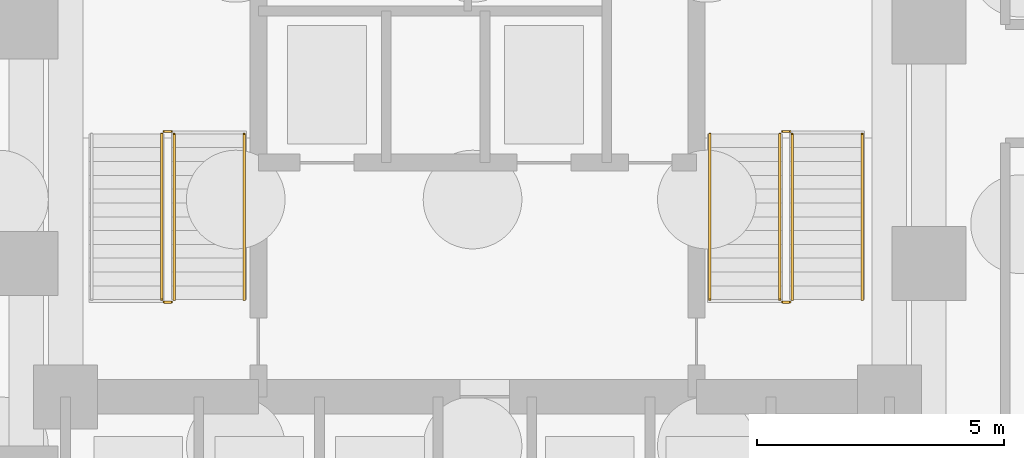
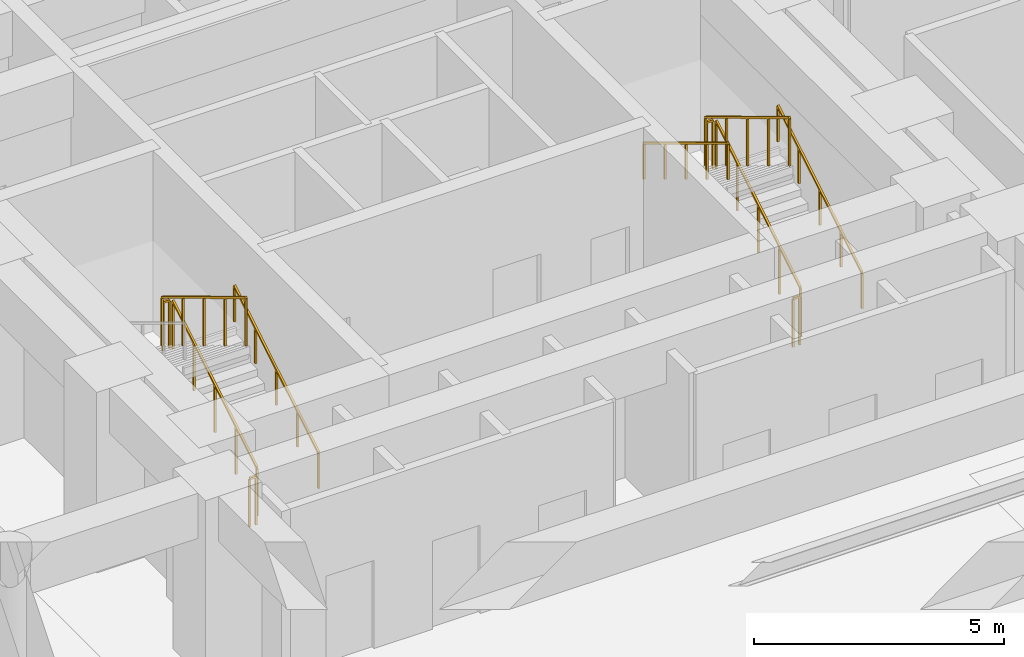
# One storey, part 7 of 8: 11 railings.
"""IFC4 building model written with IfcOpenShell, lengths in metres."""

from ifc_helpers import new_model, si_unit, direction, frame, origin, origin_2d, place, context, subcontext, project, spatial, rectangle, extrude, material, type_object, element, save


model = new_model("IFC4")

# Units and contexts
model_context = context("Model", 3, precision=1e-05, world=origin(), true_north=direction((0.0, 1.0)))
body_context = subcontext(model_context, "Body", "Model", "MODEL_VIEW")
ifc_project = project(units=[si_unit("LENGTHUNIT", "METRE"), si_unit("AREAUNIT", "SQUARE_METRE"), si_unit("VOLUMEUNIT", "CUBIC_METRE"), si_unit("PLANEANGLEUNIT", "RADIAN"), si_unit("MASSUNIT", "GRAM", prefix="KILO")], contexts=[model_context])

# Site, building, storey
site_placement = place(None, origin())
site = spatial("IfcSite", under=ifc_project, at=site_placement, CompositionType="ELEMENT")
building_placement = place(site_placement, origin())
building = spatial("IfcBuilding", under=site, at=building_placement, Name="Orvandelia Arch Residences", CompositionType="ELEMENT")
storey_placement = place(building_placement, frame((0.0, 0.0, -13.199951171875)))
storey = spatial("IfcBuildingStorey", under=building, at=storey_placement, Name="B3", CompositionType="ELEMENT", Elevation=-13.199951171875)

# Railings
ifc_material = material(Name="Brushed Stainless Steel 304", Category="steel")
railing_type_1 = type_object("IfcRailingType", Name="RL-STAIR-GD1120", PredefinedType="GUARDRAIL", material=ifc_material)
railing_1_placement = place(storey_placement, frame((8.25, 32.8701171875, 0.169189453125)))
element("IfcRailing", 1, at=railing_1_placement, inside=storey, type_object=railing_type_1, Name="B3 ST-1 stair guard 1", PredefinedType="GUARDRAIL", context=body_context, shape_type="SweptSolid", body=[
    extrude(rectangle(XDim=0.048095703125, YDim=0.048095703125, at=origin_2d()), frame((0.0, 0.0, 1.17578125), z_axis=(0.0, 0.855820338506, 0.51727318527), x_axis=(-1.0, 0.0, 0.0)), (0.0, 0.0, 1.0), 3.92578125),
    extrude(rectangle(XDim=0.0419921875, YDim=0.0419921875, at=origin_2d()), origin(), (0.0, 0.0, 1.0), 1.15185546875),
    extrude(rectangle(XDim=0.0419921875, YDim=0.0419921875, at=origin_2d()), frame((0.0, 0.83984375, 0.5078125)), (0.0, 0.0, 1.0), 1.15185546875),
    extrude(rectangle(XDim=0.0419921875, YDim=0.0419921875, at=origin_2d()), frame((0.0, 1.679931640625, 1.015380859375)), (0.0, 0.0, 1.0), 1.15185546875),
    extrude(rectangle(XDim=0.0419921875, YDim=0.0419921875, at=origin_2d()), frame((0.0, 2.52001953125, 1.52294921875)), (0.0, 0.0, 1.0), 1.15185546875),
    extrude(rectangle(XDim=0.0419921875, YDim=0.0419921875, at=origin_2d()), frame((0.0, 3.35986328125, 2.03076171875)), (0.0, 0.0, 1.0), 1.15185546875),
])
railing_2_placement = place(storey_placement, frame((8.199951171875, 36.280029296875, 2.199951171875)))
element("IfcRailing", 2, at=railing_2_placement, inside=storey, type_object=railing_type_1, Name="B3 ST-1 stair guard 2", PredefinedType="GUARDRAIL", context=body_context, shape_type="SweptSolid", body=[
    extrude(rectangle(XDim=0.048095703125, YDim=0.048095703125, at=origin_2d()), frame((0.0, 0.0, 1.17578125), z_axis=(-1.0, 0.0, 0.0), x_axis=(0.0, -1.0, 0.0)), (0.0, 0.0, 1.0), 0.14990234375),
    extrude(rectangle(XDim=0.0419921875, YDim=0.0419921875, at=origin_2d()), origin(), (0.0, 0.0, 1.0), 1.15185546875),
    extrude(rectangle(XDim=0.0419921875, YDim=0.0419921875, at=origin_2d()), frame((-0.14990234375, 0.0, 0.0)), (0.0, 0.0, 1.0), 1.15185546875),
])
railing_3_placement = place(storey_placement, frame((8.0, 36.22998046875, 2.369140625)))
element("IfcRailing", 3, at=railing_3_placement, inside=storey, type_object=railing_type_1, Name="B3 ST-1 stair guard 3", PredefinedType="GUARDRAIL", context=body_context, shape_type="SweptSolid", body=[
    extrude(rectangle(XDim=0.048095703125, YDim=0.048095703125, at=origin_2d()), frame((0.0, 0.0, 1.17578125), z_axis=(0.0, -0.855820338506, 0.51727318527), x_axis=(1.0, 0.0, 0.0)), (0.0, 0.0, 1.0), 3.92578125),
    extrude(rectangle(XDim=0.0419921875, YDim=0.0419921875, at=origin_2d()), origin(), (0.0, 0.0, 1.0), 1.15185546875),
    extrude(rectangle(XDim=0.0419921875, YDim=0.0419921875, at=origin_2d()), frame((0.0, -0.83984375, 0.5078125)), (0.0, 0.0, 1.0), 1.15185546875),
    extrude(rectangle(XDim=0.0419921875, YDim=0.0419921875, at=origin_2d()), frame((0.0, -1.679931640625, 1.015380859375)), (0.0, 0.0, 1.0), 1.15185546875),
    extrude(rectangle(XDim=0.0419921875, YDim=0.0419921875, at=origin_2d()), frame((0.0, -2.52001953125, 1.52294921875)), (0.0, 0.0, 1.0), 1.15185546875),
    extrude(rectangle(XDim=0.0419921875, YDim=0.0419921875, at=origin_2d()), frame((0.0, -3.35986328125, 2.03076171875)), (0.0, 0.0, 1.0), 1.15185546875),
])
railing_4_placement = place(storey_placement, frame((8.199951171875, 32.820068359375, 0.0)))
element("IfcRailing", 4, at=railing_4_placement, inside=storey, type_object=railing_type_1, Name="B3 ST-1 stair guard 4", PredefinedType="GUARDRAIL", context=body_context, shape_type="SweptSolid", body=[
    extrude(rectangle(XDim=0.048095703125, YDim=0.048095703125, at=origin_2d()), frame((0.0, 0.0, 1.17578125), z_axis=(-1.0, 0.0, 0.0), x_axis=(0.0, -1.0, 0.0)), (0.0, 0.0, 1.0), 0.14990234375),
    extrude(rectangle(XDim=0.0419921875, YDim=0.0419921875, at=origin_2d()), origin(), (0.0, 0.0, 1.0), 1.15185546875),
    extrude(rectangle(XDim=0.0419921875, YDim=0.0419921875, at=origin_2d()), frame((-0.14990234375, 0.0, 0.0)), (0.0, 0.0, 1.0), 1.15185546875),
])
railing_5_placement = place(storey_placement, frame((20.780029296875, 32.8701171875, 0.169189453125)))
element("IfcRailing", 5, at=railing_5_placement, inside=storey, type_object=railing_type_1, Name="B3 ST-2 stair guard 1", PredefinedType="GUARDRAIL", context=body_context, shape_type="SweptSolid", body=[
    extrude(rectangle(XDim=0.048095703125, YDim=0.048095703125, at=origin_2d()), frame((0.0, 0.0, 1.17578125), z_axis=(0.0, 0.855820338506, 0.51727318527), x_axis=(-1.0, 0.0, 0.0)), (0.0, 0.0, 1.0), 3.92578125),
    extrude(rectangle(XDim=0.0419921875, YDim=0.0419921875, at=origin_2d()), origin(), (0.0, 0.0, 1.0), 1.15185546875),
    extrude(rectangle(XDim=0.0419921875, YDim=0.0419921875, at=origin_2d()), frame((0.0, 0.83984375, 0.5078125)), (0.0, 0.0, 1.0), 1.15185546875),
    extrude(rectangle(XDim=0.0419921875, YDim=0.0419921875, at=origin_2d()), frame((0.0, 1.679931640625, 1.015380859375)), (0.0, 0.0, 1.0), 1.15185546875),
    extrude(rectangle(XDim=0.0419921875, YDim=0.0419921875, at=origin_2d()), frame((0.0, 2.52001953125, 1.52294921875)), (0.0, 0.0, 1.0), 1.15185546875),
    extrude(rectangle(XDim=0.0419921875, YDim=0.0419921875, at=origin_2d()), frame((0.0, 3.35986328125, 2.03076171875)), (0.0, 0.0, 1.0), 1.15185546875),
])
railing_6_placement = place(storey_placement, frame((20.72998046875, 36.280029296875, 2.199951171875)))
element("IfcRailing", 6, at=railing_6_placement, inside=storey, type_object=railing_type_1, Name="B3 ST-2 stair guard 2", PredefinedType="GUARDRAIL", context=body_context, shape_type="SweptSolid", body=[
    extrude(rectangle(XDim=0.048095703125, YDim=0.048095703125, at=origin_2d()), frame((0.0, 0.0, 1.17578125), z_axis=(-1.0, 0.0, 0.0), x_axis=(0.0, -1.0, 0.0)), (0.0, 0.0, 1.0), 0.14990234375),
    extrude(rectangle(XDim=0.0419921875, YDim=0.0419921875, at=origin_2d()), origin(), (0.0, 0.0, 1.0), 1.15185546875),
    extrude(rectangle(XDim=0.0419921875, YDim=0.0419921875, at=origin_2d()), frame((-0.14990234375, 0.0, 0.0)), (0.0, 0.0, 1.0), 1.15185546875),
])
railing_7_placement = place(storey_placement, frame((20.530029296875, 36.22998046875, 2.369140625)))
element("IfcRailing", 7, at=railing_7_placement, inside=storey, type_object=railing_type_1, Name="B3 ST-2 stair guard 3", PredefinedType="GUARDRAIL", context=body_context, shape_type="SweptSolid", body=[
    extrude(rectangle(XDim=0.048095703125, YDim=0.048095703125, at=origin_2d()), frame((0.0, 0.0, 1.17578125), z_axis=(0.0, -0.855820338506, 0.51727318527), x_axis=(1.0, 0.0, 0.0)), (0.0, 0.0, 1.0), 3.92578125),
    extrude(rectangle(XDim=0.0419921875, YDim=0.0419921875, at=origin_2d()), origin(), (0.0, 0.0, 1.0), 1.15185546875),
    extrude(rectangle(XDim=0.0419921875, YDim=0.0419921875, at=origin_2d()), frame((0.0, -0.83984375, 0.5078125)), (0.0, 0.0, 1.0), 1.15185546875),
    extrude(rectangle(XDim=0.0419921875, YDim=0.0419921875, at=origin_2d()), frame((0.0, -1.679931640625, 1.015380859375)), (0.0, 0.0, 1.0), 1.15185546875),
    extrude(rectangle(XDim=0.0419921875, YDim=0.0419921875, at=origin_2d()), frame((0.0, -2.52001953125, 1.52294921875)), (0.0, 0.0, 1.0), 1.15185546875),
    extrude(rectangle(XDim=0.0419921875, YDim=0.0419921875, at=origin_2d()), frame((0.0, -3.35986328125, 2.03076171875)), (0.0, 0.0, 1.0), 1.15185546875),
])
railing_8_placement = place(storey_placement, frame((20.72998046875, 32.820068359375, 0.0)))
element("IfcRailing", 8, at=railing_8_placement, inside=storey, type_object=railing_type_1, Name="B3 ST-2 stair guard 4", PredefinedType="GUARDRAIL", context=body_context, shape_type="SweptSolid", body=[
    extrude(rectangle(XDim=0.048095703125, YDim=0.048095703125, at=origin_2d()), frame((0.0, 0.0, 1.17578125), z_axis=(-1.0, 0.0, 0.0), x_axis=(0.0, -1.0, 0.0)), (0.0, 0.0, 1.0), 0.14990234375),
    extrude(rectangle(XDim=0.0419921875, YDim=0.0419921875, at=origin_2d()), origin(), (0.0, 0.0, 1.0), 1.15185546875),
    extrude(rectangle(XDim=0.0419921875, YDim=0.0419921875, at=origin_2d()), frame((-0.14990234375, 0.0, 0.0)), (0.0, 0.0, 1.0), 1.15185546875),
])
railing_type_2 = type_object("IfcRailingType", Name="RL-STAIR-HR920", PredefinedType="HANDRAIL", material=ifc_material)
for number, where, name in (
    (9, (9.669921875, 32.8701171875, 0.33837890625), "B3 ST-1 stair handrail 1"),
    (10, (22.199951171875, 32.8701171875, 0.33837890625), "B3 ST-2 stair handrail 1"),
):
    element("IfcRailing", number, at=place(storey_placement, frame(where)), inside=storey, type_object=railing_type_2, Name=name, PredefinedType="HANDRAIL", context=body_context, shape_type="SweptSolid", body=[
        extrude(rectangle(XDim=0.048095703125, YDim=0.048095703125, at=origin_2d()), frame((0.0, 0.0, 0.8759765625), z_axis=(0.0, 0.855820338506, 0.51727318527), x_axis=(-1.0, 0.0, 0.0)), (0.0, 0.0, 1.0), 3.92578125),
        extrude(rectangle(XDim=0.0419921875, YDim=0.0419921875, at=origin_2d()), origin(), (0.0, 0.0, 1.0), 0.851806640625),
        extrude(rectangle(XDim=0.0419921875, YDim=0.0419921875, at=origin_2d()), frame((0.0, 0.83984375, 0.5078125)), (0.0, 0.0, 1.0), 0.851806640625),
        extrude(rectangle(XDim=0.0419921875, YDim=0.0419921875, at=origin_2d()), frame((0.0, 1.679931640625, 1.015380859375)), (0.0, 0.0, 1.0), 0.851806640625),
        extrude(rectangle(XDim=0.0419921875, YDim=0.0419921875, at=origin_2d()), frame((0.0, 2.52001953125, 1.52294921875)), (0.0, 0.0, 1.0), 0.851806640625),
        extrude(rectangle(XDim=0.0419921875, YDim=0.0419921875, at=origin_2d()), frame((0.0, 3.35986328125, 2.03076171875)), (0.0, 0.0, 1.0), 0.851806640625),
    ])
railing_9_placement = place(storey_placement, frame((19.110107421875, 36.22998046875, 2.538330078125)))
element("IfcRailing", 11, at=railing_9_placement, inside=storey, type_object=railing_type_2, Name="B3 ST-2 stair handrail 2", PredefinedType="HANDRAIL", context=body_context, shape_type="SweptSolid", body=[
    extrude(rectangle(XDim=0.048095703125, YDim=0.048095703125, at=origin_2d()), frame((0.0, 0.0, 0.8759765625), z_axis=(0.0, -0.855820338506, 0.51727318527), x_axis=(1.0, 0.0, 0.0)), (0.0, 0.0, 1.0), 3.92578125),
    extrude(rectangle(XDim=0.0419921875, YDim=0.0419921875, at=origin_2d()), origin(), (0.0, 0.0, 1.0), 0.851806640625),
    extrude(rectangle(XDim=0.0419921875, YDim=0.0419921875, at=origin_2d()), frame((0.0, -0.83984375, 0.5078125)), (0.0, 0.0, 1.0), 0.851806640625),
    extrude(rectangle(XDim=0.0419921875, YDim=0.0419921875, at=origin_2d()), frame((0.0, -1.679931640625, 1.015380859375)), (0.0, 0.0, 1.0), 0.851806640625),
    extrude(rectangle(XDim=0.0419921875, YDim=0.0419921875, at=origin_2d()), frame((0.0, -2.52001953125, 1.52294921875)), (0.0, 0.0, 1.0), 0.851806640625),
    extrude(rectangle(XDim=0.0419921875, YDim=0.0419921875, at=origin_2d()), frame((0.0, -3.35986328125, 2.03076171875)), (0.0, 0.0, 1.0), 0.851806640625),
])

save(model, "model.ifc")
